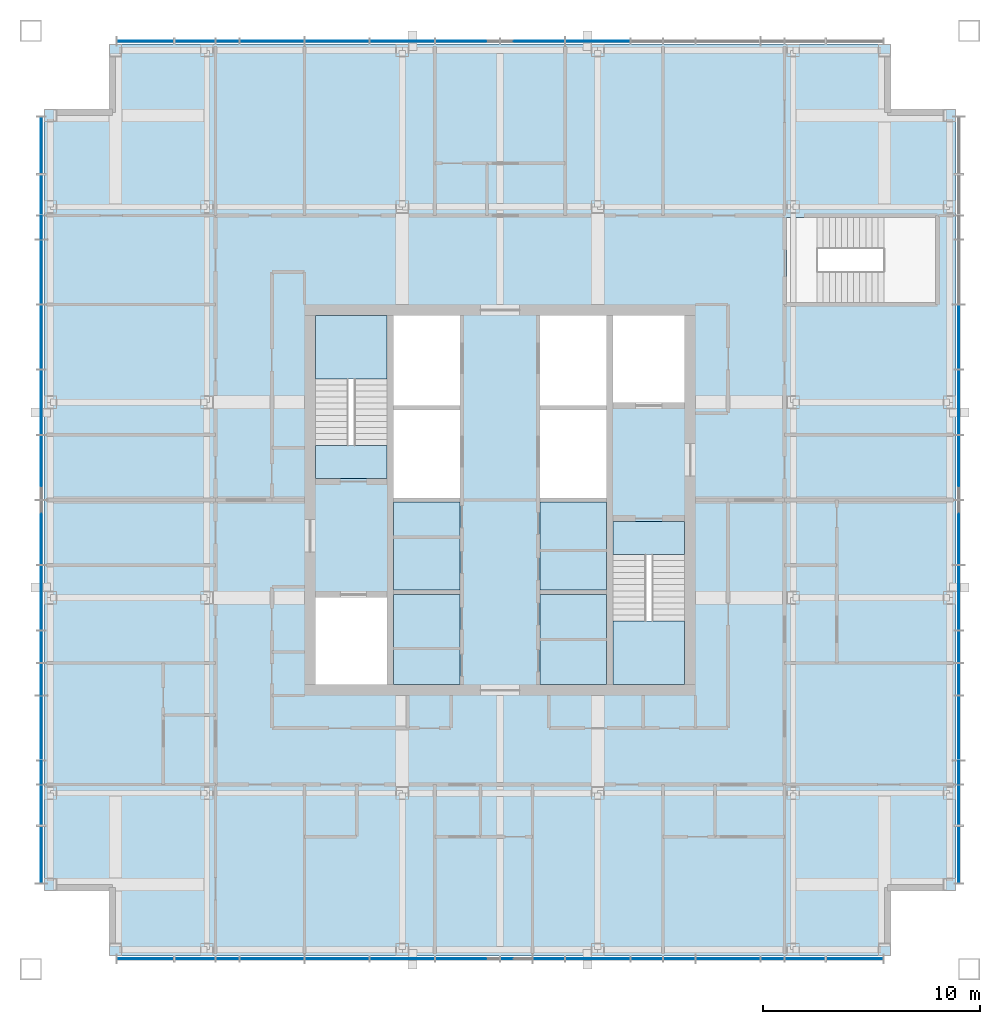
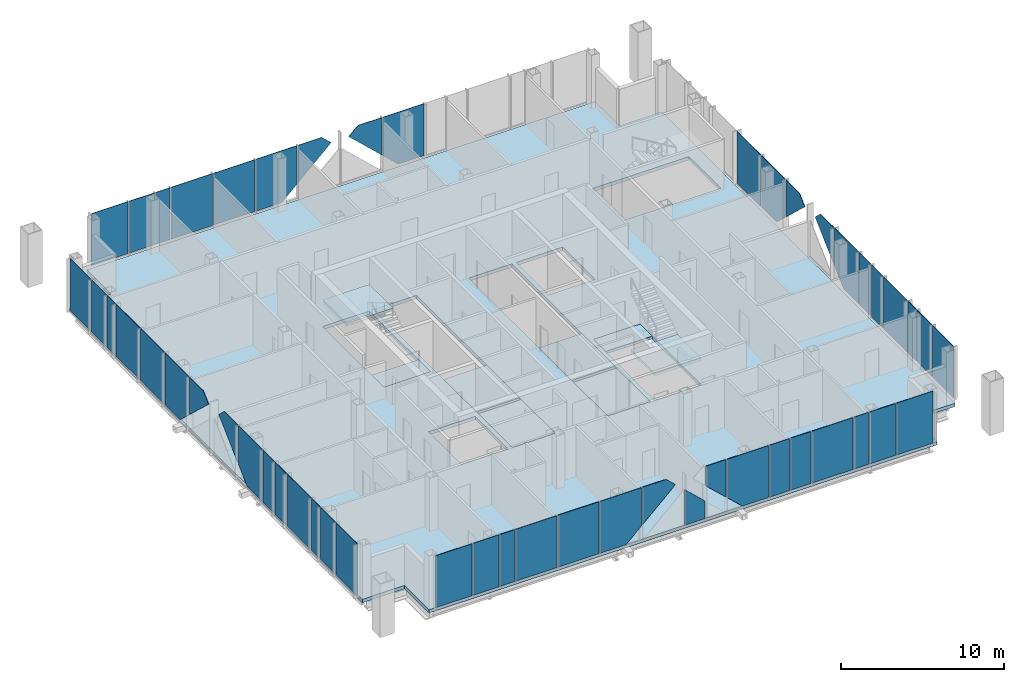
# One storey, part 6 of 12: 51 plates, 9 slabs, 6 elements without a shape of their own.
"""IFC4 building model written with IfcOpenShell, lengths in metres."""

from ifc_helpers import new_model, si_unit, direction, frame, origin, origin_2d, place, context, subcontext, project, spatial, polyline, rectangle, outline, extrude, material, layer, layer_set, type_object, element, aggregate, save


model = new_model("IFC4")

# Units and contexts
model_context = context("Model", 3, precision=1e-05, world=origin(), true_north=direction((0.0, 1.0)))
body_context = subcontext(model_context, "Body", "Model", "MODEL_VIEW")
ifc_project = project(units=[si_unit("LENGTHUNIT", "METRE"), si_unit("AREAUNIT", "SQUARE_METRE"), si_unit("VOLUMEUNIT", "CUBIC_METRE"), si_unit("PLANEANGLEUNIT", "RADIAN"), si_unit("MASSUNIT", "GRAM", prefix="KILO")], contexts=[model_context])

# Site, building, storey
site_placement = place(None, origin())
site = spatial("IfcSite", under=ifc_project, at=site_placement, CompositionType="ELEMENT")
building_placement = place(site_placement, origin())
building = spatial("IfcBuilding", under=site, at=building_placement, Name="Malebo Sky Hospital", CompositionType="ELEMENT")
storey_placement = place(building_placement, frame((0.0, 0.0, 266.0)))
storey = spatial("IfcBuildingStorey", under=building, at=storey_placement, Name="L64", CompositionType="ELEMENT", Elevation=266.0)

# Slabs
ifc_material_1 = material(Name="Concrete C40/50", Category="concrete")
ifc_layer_1 = layer(ifc_material_1, 0.25)
ifc_layer_set_1 = layer_set([ifc_layer_1], Name="COMPOSITE FLOOR SLAB 250")
slab_type_1 = type_object("IfcSlabType", Name="COMPOSITE FLOOR SLAB 250", PredefinedType="FLOOR", material=ifc_layer_set_1)
slab_1_placement = place(storey_placement, frame((0.0, 0.0, -0.25)))
element("IfcSlab", 1, at=slab_1_placement, inside=storey, type_object=slab_type_1, Name="Floor slab L64", PredefinedType="FLOOR", context=body_context, shape_type="SweptSolid", body=[
    extrude(outline(polyline([(42.0, 83.0), (42.0, 80.0), (39.0, 80.0), (39.0, 44.0), (42.0, 44.0), (42.0, 41.0), (78.0, 41.0), (78.0, 44.0), (81.0, 44.0), (81.0, 80.0), (78.0, 80.0), (78.0, 83.0), (42.0, 83.0)]), holes=[polyline([(55.10009765625, 70.5), (58.14990234375, 70.5), (58.14990234375, 53.5), (55.10009765625, 53.5), (55.10009765625, 70.5)]), polyline([(64.89990234375, 70.5), (64.89990234375, 53.5), (61.85009765625, 53.5), (61.85009765625, 70.5), (64.89990234375, 70.5)]), polyline([(54.800048828125, 63.0), (51.5, 63.0), (51.5, 70.5), (54.800048828125, 70.5), (54.800048828125, 63.0)]), polyline([(51.5, 53.5), (51.5, 57.5), (54.800048828125, 57.5), (54.800048828125, 53.5), (51.5, 53.5)]), polyline([(65.199951171875, 61.0), (68.5, 61.0), (68.5, 53.5), (65.199951171875, 53.5), (65.199951171875, 61.0)]), polyline([(68.5, 70.5), (68.5, 66.5), (65.199951171875, 66.5), (65.199951171875, 70.5), (68.5, 70.5)]), polyline([(80.050048828125, 71.10009765625), (73.199951171875, 71.10009765625), (73.199951171875, 75.0), (80.050048828125, 75.0), (80.050048828125, 71.10009765625)])]), origin(), (0.0, 0.0, 1.0), 0.25),
])
ifc_layer_2 = layer(ifc_material_1, 0.25)
ifc_layer_set_2 = layer_set([ifc_layer_2], Name="SHAFT INFILL SLAB 250")
slab_type_2 = type_object("IfcSlabType", Name="SHAFT INFILL SLAB 250", PredefinedType="FLOOR", material=ifc_layer_set_2)
slab_2_placement = place(storey_placement, frame((0.0, 0.0, -0.25)))
element("IfcSlab", 2, at=slab_2_placement, inside=storey, type_object=slab_type_2, Name="Shaft infill slab W1 L64", PredefinedType="FLOOR", context=body_context, shape_type="SweptSolid", body=[
    extrude(outline(polyline([(55.10009765625, 53.5), (58.14990234375, 53.5), (58.14990234375, 57.64990234375), (55.10009765625, 57.64990234375), (55.10009765625, 53.5)])), origin(), (0.0, 0.0, 1.0), 0.25),
])
slab_3_placement = place(storey_placement, frame((0.0, 0.0, -0.25)))
element("IfcSlab", 3, at=slab_3_placement, inside=storey, type_object=slab_type_2, Name="Shaft infill slab W2 L64", PredefinedType="FLOOR", context=body_context, shape_type="SweptSolid", body=[
    extrude(outline(polyline([(55.10009765625, 57.85009765625), (58.14990234375, 57.85009765625), (58.14990234375, 61.89990234375), (55.10009765625, 61.89990234375), (55.10009765625, 57.85009765625)])), origin(), (0.0, 0.0, 1.0), 0.25),
])
slab_4_placement = place(storey_placement, frame((0.0, 0.0, -0.25)))
element("IfcSlab", 4, at=slab_4_placement, inside=storey, type_object=slab_type_2, Name="Shaft infill slab E1 L64", PredefinedType="FLOOR", context=body_context, shape_type="SweptSolid", body=[
    extrude(outline(polyline([(61.85009765625, 53.5), (64.89990234375, 53.5), (64.89990234375, 57.64990234375), (61.85009765625, 57.64990234375), (61.85009765625, 53.5)])), origin(), (0.0, 0.0, 1.0), 0.25),
])
slab_5_placement = place(storey_placement, frame((0.0, 0.0, -0.25)))
element("IfcSlab", 5, at=slab_5_placement, inside=storey, type_object=slab_type_2, Name="Shaft infill slab E2 L64", PredefinedType="FLOOR", context=body_context, shape_type="SweptSolid", body=[
    extrude(outline(polyline([(61.85009765625, 57.85009765625), (64.89990234375, 57.85009765625), (64.89990234375, 61.89990234375), (61.85009765625, 61.89990234375), (61.85009765625, 57.85009765625)])), origin(), (0.0, 0.0, 1.0), 0.25),
])

# Stair, slabs
stair_type = type_object("IfcStairType", Name="HALF-TURN STAIR 1500 R167", PredefinedType="HALF_TURN_STAIR", material=ifc_material_1)
stair_1_placement = place(storey_placement, origin())
stair_1 = element("IfcStair", 6, at=stair_1_placement, inside=storey, type_object=stair_type, Name="Stair S1 L64 type ST1", PredefinedType="HALF_TURN_STAIR")
ifc_layer_3 = layer(ifc_material_1, 0.199951171875)
ifc_layer_set_3 = layer_set([ifc_layer_3], Name="STAIR LANDING 200")
slab_type_3 = type_object("IfcSlabType", Name="STAIR LANDING 200", PredefinedType="LANDING", material=ifc_layer_set_3)
slab_6_placement = place(storey_placement, frame((0.0, 0.0, -0.199951171875)))
slab_6 = element("IfcSlab", 7, at=slab_6_placement, type_object=slab_type_3, Name="S1 landing 1", PredefinedType="LANDING", context=body_context, shape_type="SweptSolid", body=[
    extrude(outline(polyline([(51.5, 63.0), (54.800048828125, 63.0), (54.800048828125, 64.5), (51.5, 64.5), (51.5, 63.0)])), origin(), (0.0, 0.0, 1.0), 0.199951171875),
])
slab_7_placement = place(storey_placement, frame((0.0, 0.0, 1.800048828125)))
slab_7 = element("IfcSlab", 8, at=slab_7_placement, type_object=slab_type_3, Name="S1 landing 2", PredefinedType="LANDING", context=body_context, shape_type="SweptSolid", body=[
    extrude(outline(polyline([(51.5, 67.580078125), (54.800048828125, 67.580078125), (54.800048828125, 70.5), (51.5, 70.5), (51.5, 67.580078125)])), origin(), (0.0, 0.0, 1.0), 0.199951171875),
])
aggregate(stair_1, [slab_6, slab_7])

stair_2_placement = place(storey_placement, origin())
stair_2 = element("IfcStair", 9, at=stair_2_placement, inside=storey, type_object=stair_type, Name="Stair S2 L64 type ST1", PredefinedType="HALF_TURN_STAIR")
slab_8_placement = place(storey_placement, frame((0.0, 0.0, -0.199951171875)))
slab_8 = element("IfcSlab", 10, at=slab_8_placement, type_object=slab_type_3, Name="S2 landing 1", PredefinedType="LANDING", context=body_context, shape_type="SweptSolid", body=[
    extrude(outline(polyline([(65.199951171875, 59.5), (68.5, 59.5), (68.5, 61.0), (65.199951171875, 61.0), (65.199951171875, 59.5)])), origin(), (0.0, 0.0, 1.0), 0.199951171875),
])
slab_9_placement = place(storey_placement, frame((0.0, 0.0, 1.800048828125)))
slab_9 = element("IfcSlab", 11, at=slab_9_placement, type_object=slab_type_3, Name="S2 landing 2", PredefinedType="LANDING", context=body_context, shape_type="SweptSolid", body=[
    extrude(outline(polyline([(65.199951171875, 53.5), (68.5, 53.5), (68.5, 56.419921875), (65.199951171875, 56.419921875), (65.199951171875, 53.5)])), origin(), (0.0, 0.0, 1.0), 0.199951171875),
])
aggregate(stair_2, [slab_8, slab_9])

# Curtain wall, plates
ifc_material_2 = material(Name="Anodised aluminium, natural silver", Category="aluminium")
ifc_layer_4 = layer(ifc_material_2, 0.25)
ifc_layer_set_4 = layer_set([ifc_layer_4], Name="WARD CURTAIN WALL NORTH AND SOUTH")
curtain_wall_type_1 = type_object("IfcCurtainWallType", Name="WARD CURTAIN WALL NORTH AND SOUTH", PredefinedType="NOTDEFINED", material=ifc_layer_set_4)
curtain_wall_1_placement = place(storey_placement, origin())
curtain_wall_1 = element("IfcCurtainWall", 12, at=curtain_wall_1_placement, inside=storey, type_object=curtain_wall_type_1, Name="NS curtain wall N", PredefinedType="NOTDEFINED")
ifc_material_3 = material(Name="Clear low-iron double glazing", Category="glass")
ifc_layer_5 = layer(ifc_material_3, 0.031982421875)
ifc_layer_set_5 = layer_set([ifc_layer_5], Name="VISION PANEL CLEAR 32")
plate_type = type_object("IfcPlateType", Name="VISION PANEL CLEAR 32", PredefinedType="CURTAIN_PANEL", material=ifc_layer_set_5)
plate_1_placement = place(storey_placement, frame((43.668701171875, 83.125, 0.10009765625), z_axis=(0.0, 0.0, 1.0), x_axis=(1.0, 0.0, 0.0)))
plate_1 = element("IfcPlate", 13, at=plate_1_placement, type_object=plate_type, Name="Panel 1", PredefinedType="CURTAIN_PANEL", context=body_context, shape_type="SweptSolid", body=[
    extrude(rectangle(XDim=2.58740234375, YDim=0.031982421875, at=origin_2d()), origin(), (0.0, 0.0, 1.0), 3.889892578125),
])
plate_2_placement = place(storey_placement, frame((45.949951171875, 83.125, 0.10009765625), z_axis=(0.0, 0.0, 1.0), x_axis=(1.0, 0.0, 0.0)))
plate_2 = element("IfcPlate", 14, at=plate_2_placement, type_object=plate_type, Name="Panel 2", PredefinedType="CURTAIN_PANEL", context=body_context, shape_type="SweptSolid", body=[
    extrude(rectangle(XDim=1.824951171875, YDim=0.031982421875, at=origin_2d()), origin(), (0.0, 0.0, 1.0), 3.889892578125),
])
plate_3_placement = place(storey_placement, frame((47.449951171875, 83.125, 0.10009765625), z_axis=(0.0, 0.0, 1.0), x_axis=(1.0, 0.0, 0.0)))
plate_3 = element("IfcPlate", 15, at=plate_3_placement, type_object=plate_type, Name="Panel 3", PredefinedType="CURTAIN_PANEL", context=body_context, shape_type="SweptSolid", body=[
    extrude(rectangle(XDim=1.02490234375, YDim=0.031982421875, at=origin_2d()), origin(), (0.0, 0.0, 1.0), 3.889892578125),
])
plate_4_placement = place(storey_placement, frame((49.5, 83.125, 0.10009765625), z_axis=(0.0, 0.0, 1.0), x_axis=(1.0, 0.0, 0.0)))
plate_4 = element("IfcPlate", 16, at=plate_4_placement, type_object=plate_type, Name="Panel 4", PredefinedType="CURTAIN_PANEL", context=body_context, shape_type="SweptSolid", body=[
    extrude(rectangle(XDim=2.925048828125, YDim=0.031982421875, at=origin_2d()), origin(), (0.0, 0.0, 1.0), 3.889892578125),
])
plate_5_placement = place(storey_placement, frame((52.5, 83.125, 0.10009765625), z_axis=(0.0, 0.0, 1.0), x_axis=(1.0, 0.0, 0.0)))
plate_5 = element("IfcPlate", 17, at=plate_5_placement, type_object=plate_type, Name="Panel 5", PredefinedType="CURTAIN_PANEL", context=body_context, shape_type="SweptSolid", body=[
    extrude(rectangle(XDim=2.925048828125, YDim=0.031982421875, at=origin_2d()), origin(), (0.0, 0.0, 1.0), 3.889892578125),
])
plate_6_placement = place(storey_placement, frame((55.5, 83.125, 0.10009765625), z_axis=(0.0, 0.0, 1.0), x_axis=(1.0, 0.0, 0.0)))
plate_6 = element("IfcPlate", 18, at=plate_6_placement, type_object=plate_type, Name="Panel 6", PredefinedType="CURTAIN_PANEL", context=body_context, shape_type="SweptSolid", body=[
    extrude(outline(polyline([(-1.46240234375, 0.0), (0.3798828125, 0.0), (1.46240234375, 1.013916015625), (1.46240234375, 3.889892578125), (-1.46240234375, 3.889892578125), (-1.46240234375, 0.0)])), frame((0.0, 0.01611328125, 0.0), z_axis=(0.0, -1.0, 0.0), x_axis=(1.0, 0.0, 0.0)), (0.0, 0.0, 1.0), 0.031982421875),
])
plate_7_placement = place(storey_placement, frame((58.20751953125, 83.125, 1.18408203125), z_axis=(0.0, 0.0, 1.0), x_axis=(1.0, 0.0, 0.0)))
plate_7 = element("IfcPlate", 19, at=plate_7_placement, type_object=plate_type, Name="Panel 7", PredefinedType="CURTAIN_PANEL", context=body_context, shape_type="SweptSolid", body=[
    extrude(outline(polyline([(-1.169921875, 0.0), (1.169921875, 2.19091796875), (0.51318359375, 2.805908203125), (-1.169921875, 2.805908203125), (-1.169921875, 0.0)])), frame((0.0, 0.01611328125, 0.0), z_axis=(0.0, -1.0, 0.0), x_axis=(1.0, 0.0, 0.0)), (0.0, 0.0, 1.0), 0.031982421875),
])
plate_8_placement = place(storey_placement, frame((61.79248046875, 83.125, 1.18408203125), z_axis=(0.0, 0.0, 1.0), x_axis=(1.0, 0.0, 0.0)))
plate_8 = element("IfcPlate", 20, at=plate_8_placement, type_object=plate_type, Name="Panel 8", PredefinedType="CURTAIN_PANEL", context=body_context, shape_type="SweptSolid", body=[
    extrude(outline(polyline([(1.169921875, 0.0), (1.169921875, 2.805908203125), (-0.51318359375, 2.805908203125), (-1.169921875, 2.19091796875), (1.169921875, 0.0)])), frame((0.0, 0.01611328125, 0.0), z_axis=(0.0, -1.0, 0.0), x_axis=(1.0, 0.0, 0.0)), (0.0, 0.0, 1.0), 0.031982421875),
])
plate_9_placement = place(storey_placement, frame((64.5, 83.125, 0.10009765625), z_axis=(0.0, 0.0, 1.0), x_axis=(1.0, 0.0, 0.0)))
plate_9 = element("IfcPlate", 21, at=plate_9_placement, type_object=plate_type, Name="Panel 9", PredefinedType="CURTAIN_PANEL", context=body_context, shape_type="SweptSolid", body=[
    extrude(outline(polyline([(-0.3798828125, 0.0), (1.46240234375, 0.0), (1.46240234375, 3.889892578125), (-1.46240234375, 3.889892578125), (-1.46240234375, 1.013916015625), (-0.3798828125, 0.0)])), frame((0.0, 0.01611328125, 0.0), z_axis=(0.0, -1.0, 0.0), x_axis=(1.0, 0.0, 0.0)), (0.0, 0.0, 1.0), 0.031982421875),
])
aggregate(curtain_wall_1, [plate_1, plate_2, plate_3, plate_4, plate_5, plate_6, plate_7, plate_8, plate_9])

ifc_layer_6 = layer(ifc_material_2, 0.25)
ifc_layer_set_6 = layer_set([ifc_layer_6], Name="WARD CURTAIN WALL EAST AND WEST")
curtain_wall_type_2 = type_object("IfcCurtainWallType", Name="WARD CURTAIN WALL EAST AND WEST", PredefinedType="NOTDEFINED", material=ifc_layer_set_6)
curtain_wall_2_placement = place(storey_placement, origin())
curtain_wall_2 = element("IfcCurtainWall", 22, at=curtain_wall_2_placement, inside=storey, type_object=curtain_wall_type_2, Name="EW curtain wall W", PredefinedType="NOTDEFINED")
plate_10_placement = place(storey_placement, frame((38.875, 45.668701171875, 0.10009765625), z_axis=(0.0, 0.0, 1.0), x_axis=(0.0, 1.0, 0.0)))
plate_10 = element("IfcPlate", 23, at=plate_10_placement, type_object=plate_type, Name="Panel 1", PredefinedType="CURTAIN_PANEL", context=body_context, shape_type="SweptSolid", body=[
    extrude(rectangle(XDim=2.58740234375, YDim=0.031982421875, at=origin_2d()), origin(), (0.0, 0.0, 1.0), 3.889892578125),
])
plate_11_placement = place(storey_placement, frame((38.875, 47.949951171875, 0.10009765625), z_axis=(0.0, 0.0, 1.0), x_axis=(0.0, 1.0, 0.0)))
plate_11 = element("IfcPlate", 24, at=plate_11_placement, type_object=plate_type, Name="Panel 2", PredefinedType="CURTAIN_PANEL", context=body_context, shape_type="SweptSolid", body=[
    extrude(rectangle(XDim=1.824951171875, YDim=0.031982421875, at=origin_2d()), origin(), (0.0, 0.0, 1.0), 3.889892578125),
])
plate_12_placement = place(storey_placement, frame((38.875, 49.449951171875, 0.10009765625), z_axis=(0.0, 0.0, 1.0), x_axis=(0.0, 1.0, 0.0)))
plate_12 = element("IfcPlate", 25, at=plate_12_placement, type_object=plate_type, Name="Panel 3", PredefinedType="CURTAIN_PANEL", context=body_context, shape_type="SweptSolid", body=[
    extrude(rectangle(XDim=1.02490234375, YDim=0.031982421875, at=origin_2d()), origin(), (0.0, 0.0, 1.0), 3.889892578125),
])
plate_13_placement = place(storey_placement, frame((38.875, 51.5, 0.10009765625), z_axis=(0.0, 0.0, 1.0), x_axis=(0.0, 1.0, 0.0)))
plate_13 = element("IfcPlate", 26, at=plate_13_placement, type_object=plate_type, Name="Panel 4", PredefinedType="CURTAIN_PANEL", context=body_context, shape_type="SweptSolid", body=[
    extrude(rectangle(XDim=2.925048828125, YDim=0.031982421875, at=origin_2d()), origin(), (0.0, 0.0, 1.0), 3.889892578125),
])
plate_14_placement = place(storey_placement, frame((38.875, 53.75, 0.10009765625), z_axis=(0.0, 0.0, 1.0), x_axis=(0.0, 1.0, 0.0)))
plate_14 = element("IfcPlate", 27, at=plate_14_placement, type_object=plate_type, Name="Panel 5", PredefinedType="CURTAIN_PANEL", context=body_context, shape_type="SweptSolid", body=[
    extrude(rectangle(XDim=1.425048828125, YDim=0.031982421875, at=origin_2d()), origin(), (0.0, 0.0, 1.0), 3.889892578125),
])
plate_15_placement = place(storey_placement, frame((38.875, 55.25, 0.10009765625), z_axis=(0.0, 0.0, 1.0), x_axis=(0.0, 1.0, 0.0)))
plate_15 = element("IfcPlate", 28, at=plate_15_placement, type_object=plate_type, Name="Panel 6", PredefinedType="CURTAIN_PANEL", context=body_context, shape_type="SweptSolid", body=[
    extrude(rectangle(XDim=1.425048828125, YDim=0.031982421875, at=origin_2d()), origin(), (0.0, 0.0, 1.0), 3.889892578125),
])
plate_16_placement = place(storey_placement, frame((38.875, 57.5, 0.10009765625), z_axis=(0.0, 0.0, 1.0), x_axis=(0.0, 1.0, 0.0)))
plate_16 = element("IfcPlate", 29, at=plate_16_placement, type_object=plate_type, Name="Panel 7", PredefinedType="CURTAIN_PANEL", context=body_context, shape_type="SweptSolid", body=[
    extrude(outline(polyline([(-1.46240234375, 0.0), (0.3798828125, 0.0), (1.46240234375, 1.013916015625), (1.46240234375, 3.889892578125), (-1.46240234375, 3.889892578125), (-1.46240234375, 0.0)])), frame((0.0, 0.01611328125, 0.0), z_axis=(0.0, -1.0, 0.0), x_axis=(1.0, 0.0, 0.0)), (0.0, 0.0, 1.0), 0.031982421875),
])
plate_17_placement = place(storey_placement, frame((38.875, 60.20751953125, 1.18408203125), z_axis=(0.0, 0.0, 1.0), x_axis=(0.0, 1.0, 0.0)))
plate_17 = element("IfcPlate", 30, at=plate_17_placement, type_object=plate_type, Name="Panel 8", PredefinedType="CURTAIN_PANEL", context=body_context, shape_type="SweptSolid", body=[
    extrude(outline(polyline([(-1.169921875, 0.0), (1.169921875, 2.19091796875), (0.51318359375, 2.805908203125), (-1.169921875, 2.805908203125), (-1.169921875, 0.0)])), frame((0.0, 0.01611328125, 0.0), z_axis=(0.0, -1.0, 0.0), x_axis=(1.0, 0.0, 0.0)), (0.0, 0.0, 1.0), 0.031982421875),
])
plate_18_placement = place(storey_placement, frame((38.875, 63.79248046875, 1.18408203125), z_axis=(0.0, 0.0, 1.0), x_axis=(0.0, 1.0, 0.0)))
plate_18 = element("IfcPlate", 31, at=plate_18_placement, type_object=plate_type, Name="Panel 9", PredefinedType="CURTAIN_PANEL", context=body_context, shape_type="SweptSolid", body=[
    extrude(outline(polyline([(1.169921875, 0.0), (1.169921875, 2.805908203125), (-0.51318359375, 2.805908203125), (-1.169921875, 2.19091796875), (1.169921875, 0.0)])), frame((0.0, 0.01611328125, 0.0), z_axis=(0.0, -1.0, 0.0), x_axis=(1.0, 0.0, 0.0)), (0.0, 0.0, 1.0), 0.031982421875),
])
plate_19_placement = place(storey_placement, frame((38.875, 66.5, 0.10009765625), z_axis=(0.0, 0.0, 1.0), x_axis=(0.0, 1.0, 0.0)))
plate_19 = element("IfcPlate", 32, at=plate_19_placement, type_object=plate_type, Name="Panel 10", PredefinedType="CURTAIN_PANEL", context=body_context, shape_type="SweptSolid", body=[
    extrude(outline(polyline([(-0.3798828125, 0.0), (1.46240234375, 0.0), (1.46240234375, 3.889892578125), (-1.46240234375, 3.889892578125), (-1.46240234375, 1.013916015625), (-0.3798828125, 0.0)])), frame((0.0, 0.01611328125, 0.0), z_axis=(0.0, -1.0, 0.0), x_axis=(1.0, 0.0, 0.0)), (0.0, 0.0, 1.0), 0.031982421875),
])
plate_20_placement = place(storey_placement, frame((38.875, 69.5, 0.10009765625), z_axis=(0.0, 0.0, 1.0), x_axis=(0.0, 1.0, 0.0)))
plate_20 = element("IfcPlate", 33, at=plate_20_placement, type_object=plate_type, Name="Panel 11", PredefinedType="CURTAIN_PANEL", context=body_context, shape_type="SweptSolid", body=[
    extrude(rectangle(XDim=2.925048828125, YDim=0.031982421875, at=origin_2d()), origin(), (0.0, 0.0, 1.0), 3.889892578125),
])
plate_21_placement = place(storey_placement, frame((38.875, 72.5, 0.10009765625), z_axis=(0.0, 0.0, 1.0), x_axis=(0.0, 1.0, 0.0)))
plate_21 = element("IfcPlate", 34, at=plate_21_placement, type_object=plate_type, Name="Panel 12", PredefinedType="CURTAIN_PANEL", context=body_context, shape_type="SweptSolid", body=[
    extrude(rectangle(XDim=2.925048828125, YDim=0.031982421875, at=origin_2d()), origin(), (0.0, 0.0, 1.0), 3.889892578125),
])
plate_22_placement = place(storey_placement, frame((38.875, 74.550048828125, 0.10009765625), z_axis=(0.0, 0.0, 1.0), x_axis=(0.0, 1.0, 0.0)))
plate_22 = element("IfcPlate", 35, at=plate_22_placement, type_object=plate_type, Name="Panel 13", PredefinedType="CURTAIN_PANEL", context=body_context, shape_type="SweptSolid", body=[
    extrude(rectangle(XDim=1.02490234375, YDim=0.031982421875, at=origin_2d()), origin(), (0.0, 0.0, 1.0), 3.889892578125),
])
plate_23_placement = place(storey_placement, frame((38.875, 76.050048828125, 0.10009765625), z_axis=(0.0, 0.0, 1.0), x_axis=(0.0, 1.0, 0.0)))
plate_23 = element("IfcPlate", 36, at=plate_23_placement, type_object=plate_type, Name="Panel 14", PredefinedType="CURTAIN_PANEL", context=body_context, shape_type="SweptSolid", body=[
    extrude(rectangle(XDim=1.824951171875, YDim=0.031982421875, at=origin_2d()), origin(), (0.0, 0.0, 1.0), 3.889892578125),
])
plate_24_placement = place(storey_placement, frame((38.875, 78.331298828125, 0.10009765625), z_axis=(0.0, 0.0, 1.0), x_axis=(0.0, 1.0, 0.0)))
plate_24 = element("IfcPlate", 37, at=plate_24_placement, type_object=plate_type, Name="Panel 15", PredefinedType="CURTAIN_PANEL", context=body_context, shape_type="SweptSolid", body=[
    extrude(rectangle(XDim=2.58740234375, YDim=0.031982421875, at=origin_2d()), origin(), (0.0, 0.0, 1.0), 3.889892578125),
])
aggregate(curtain_wall_2, [plate_10, plate_11, plate_12, plate_13, plate_14, plate_15, plate_16, plate_17, plate_18, plate_19, plate_20, plate_21, plate_22, plate_23, plate_24])

curtain_wall_3_placement = place(storey_placement, origin())
curtain_wall_3 = element("IfcCurtainWall", 38, at=curtain_wall_3_placement, inside=storey, type_object=curtain_wall_type_1, Name="NS curtain wall S", PredefinedType="NOTDEFINED")
plate_25_placement = place(storey_placement, frame((76.331298828125, 40.875, 0.10009765625), z_axis=(0.0, 0.0, 1.0), x_axis=(-1.0, 0.0, 0.0)))
plate_25 = element("IfcPlate", 39, at=plate_25_placement, type_object=plate_type, Name="Panel 1", PredefinedType="CURTAIN_PANEL", context=body_context, shape_type="SweptSolid", body=[
    extrude(rectangle(XDim=2.58740234375, YDim=0.031982421875, at=origin_2d()), origin(), (0.0, 0.0, 1.0), 3.889892578125),
])
plate_26_placement = place(storey_placement, frame((74.050048828125, 40.875, 0.10009765625), z_axis=(0.0, 0.0, 1.0), x_axis=(-1.0, 0.0, 0.0)))
plate_26 = element("IfcPlate", 40, at=plate_26_placement, type_object=plate_type, Name="Panel 2", PredefinedType="CURTAIN_PANEL", context=body_context, shape_type="SweptSolid", body=[
    extrude(rectangle(XDim=1.824951171875, YDim=0.031982421875, at=origin_2d()), origin(), (0.0, 0.0, 1.0), 3.889892578125),
])
plate_27_placement = place(storey_placement, frame((72.550048828125, 40.875, 0.10009765625), z_axis=(0.0, 0.0, 1.0), x_axis=(-1.0, 0.0, 0.0)))
plate_27 = element("IfcPlate", 41, at=plate_27_placement, type_object=plate_type, Name="Panel 3", PredefinedType="CURTAIN_PANEL", context=body_context, shape_type="SweptSolid", body=[
    extrude(rectangle(XDim=1.02490234375, YDim=0.031982421875, at=origin_2d()), origin(), (0.0, 0.0, 1.0), 3.889892578125),
])
plate_28_placement = place(storey_placement, frame((70.5, 40.875, 0.10009765625), z_axis=(0.0, 0.0, 1.0), x_axis=(-1.0, 0.0, 0.0)))
plate_28 = element("IfcPlate", 42, at=plate_28_placement, type_object=plate_type, Name="Panel 4", PredefinedType="CURTAIN_PANEL", context=body_context, shape_type="SweptSolid", body=[
    extrude(rectangle(XDim=2.925048828125, YDim=0.031982421875, at=origin_2d()), origin(), (0.0, 0.0, 1.0), 3.889892578125),
])
plate_29_placement = place(storey_placement, frame((68.25, 40.875, 0.10009765625), z_axis=(0.0, 0.0, 1.0), x_axis=(-1.0, 0.0, 0.0)))
plate_29 = element("IfcPlate", 43, at=plate_29_placement, type_object=plate_type, Name="Panel 5", PredefinedType="CURTAIN_PANEL", context=body_context, shape_type="SweptSolid", body=[
    extrude(rectangle(XDim=1.425048828125, YDim=0.031982421875, at=origin_2d()), origin(), (0.0, 0.0, 1.0), 3.889892578125),
])
plate_30_placement = place(storey_placement, frame((66.75, 40.875, 0.10009765625), z_axis=(0.0, 0.0, 1.0), x_axis=(-1.0, 0.0, 0.0)))
plate_30 = element("IfcPlate", 44, at=plate_30_placement, type_object=plate_type, Name="Panel 6", PredefinedType="CURTAIN_PANEL", context=body_context, shape_type="SweptSolid", body=[
    extrude(rectangle(XDim=1.425048828125, YDim=0.031982421875, at=origin_2d()), origin(), (0.0, 0.0, 1.0), 3.889892578125),
])
plate_31_placement = place(storey_placement, frame((64.5, 40.875, 0.10009765625), z_axis=(0.0, 0.0, 1.0), x_axis=(-1.0, 0.0, 0.0)))
plate_31 = element("IfcPlate", 45, at=plate_31_placement, type_object=plate_type, Name="Panel 7", PredefinedType="CURTAIN_PANEL", context=body_context, shape_type="SweptSolid", body=[
    extrude(outline(polyline([(-1.46240234375, 0.0), (0.3798828125, 0.0), (1.46240234375, 1.013916015625), (1.46240234375, 3.889892578125), (-1.46240234375, 3.889892578125), (-1.46240234375, 0.0)])), frame((0.0, 0.01611328125, 0.0), z_axis=(0.0, -1.0, 0.0), x_axis=(1.0, 0.0, 0.0)), (0.0, 0.0, 1.0), 0.031982421875),
])
plate_32_placement = place(storey_placement, frame((62.25, 40.875, 1.18408203125), z_axis=(0.0, 0.0, 1.0), x_axis=(-1.0, 0.0, 0.0)))
plate_32 = element("IfcPlate", 46, at=plate_32_placement, type_object=plate_type, Name="Panel 8", PredefinedType="CURTAIN_PANEL", context=body_context, shape_type="SweptSolid", body=[
    extrude(outline(polyline([(-0.71240234375, 0.0), (0.71240234375, 1.334228515625), (0.71240234375, 2.805908203125), (-0.71240234375, 2.805908203125), (-0.71240234375, 0.0)])), frame((0.0, 0.01611328125, 0.0), z_axis=(0.0, -1.0, 0.0), x_axis=(1.0, 0.0, 0.0)), (0.0, 0.0, 1.0), 0.031982421875),
])
plate_33_placement = place(storey_placement, frame((60.75, 40.875, 0.10009765625), z_axis=(0.0, 0.0, 1.0), x_axis=(-1.0, 0.0, 0.0)))
plate_33 = element("IfcPlate", 47, at=plate_33_placement, type_object=plate_type, Name="Panel 9", PredefinedType="CURTAIN_PANEL", context=body_context, shape_type="SweptSolid", body=[
    extrude(outline(polyline([(-0.71240234375, 0.0), (0.71240234375, 0.0), (0.71240234375, 2.656982421875), (-0.71240234375, 1.32275390625), (-0.71240234375, 0.0)])), frame((0.0, 0.01611328125, 0.0), z_axis=(0.0, -1.0, 0.0), x_axis=(1.0, 0.0, 0.0)), (0.0, 0.0, 1.0), 0.031982421875),
])
plate_34_placement = place(storey_placement, frame((58.20751953125, 40.875, 1.18408203125), z_axis=(0.0, 0.0, 1.0), x_axis=(-1.0, 0.0, 0.0)))
plate_34 = element("IfcPlate", 48, at=plate_34_placement, type_object=plate_type, Name="Panel 10", PredefinedType="CURTAIN_PANEL", context=body_context, shape_type="SweptSolid", body=[
    extrude(outline(polyline([(1.169921875, 0.0), (1.169921875, 2.805908203125), (-0.51318359375, 2.805908203125), (-1.169921875, 2.19091796875), (1.169921875, 0.0)])), frame((0.0, 0.01611328125, 0.0), z_axis=(0.0, -1.0, 0.0), x_axis=(1.0, 0.0, 0.0)), (0.0, 0.0, 1.0), 0.031982421875),
])
plate_35_placement = place(storey_placement, frame((55.5, 40.875, 0.10009765625), z_axis=(0.0, 0.0, 1.0), x_axis=(-1.0, 0.0, 0.0)))
plate_35 = element("IfcPlate", 49, at=plate_35_placement, type_object=plate_type, Name="Panel 11", PredefinedType="CURTAIN_PANEL", context=body_context, shape_type="SweptSolid", body=[
    extrude(outline(polyline([(-0.3798828125, 0.0), (1.46240234375, 0.0), (1.46240234375, 3.889892578125), (-1.46240234375, 3.889892578125), (-1.46240234375, 1.013916015625), (-0.3798828125, 0.0)])), frame((0.0, 0.01611328125, 0.0), z_axis=(0.0, -1.0, 0.0), x_axis=(1.0, 0.0, 0.0)), (0.0, 0.0, 1.0), 0.031982421875),
])
plate_36_placement = place(storey_placement, frame((52.5, 40.875, 0.10009765625), z_axis=(0.0, 0.0, 1.0), x_axis=(-1.0, 0.0, 0.0)))
plate_36 = element("IfcPlate", 50, at=plate_36_placement, type_object=plate_type, Name="Panel 12", PredefinedType="CURTAIN_PANEL", context=body_context, shape_type="SweptSolid", body=[
    extrude(rectangle(XDim=2.925048828125, YDim=0.031982421875, at=origin_2d()), origin(), (0.0, 0.0, 1.0), 3.889892578125),
])
plate_37_placement = place(storey_placement, frame((49.5, 40.875, 0.10009765625), z_axis=(0.0, 0.0, 1.0), x_axis=(-1.0, 0.0, 0.0)))
plate_37 = element("IfcPlate", 51, at=plate_37_placement, type_object=plate_type, Name="Panel 13", PredefinedType="CURTAIN_PANEL", context=body_context, shape_type="SweptSolid", body=[
    extrude(rectangle(XDim=2.925048828125, YDim=0.031982421875, at=origin_2d()), origin(), (0.0, 0.0, 1.0), 3.889892578125),
])
plate_38_placement = place(storey_placement, frame((47.449951171875, 40.875, 0.10009765625), z_axis=(0.0, 0.0, 1.0), x_axis=(-1.0, 0.0, 0.0)))
plate_38 = element("IfcPlate", 52, at=plate_38_placement, type_object=plate_type, Name="Panel 14", PredefinedType="CURTAIN_PANEL", context=body_context, shape_type="SweptSolid", body=[
    extrude(rectangle(XDim=1.02490234375, YDim=0.031982421875, at=origin_2d()), origin(), (0.0, 0.0, 1.0), 3.889892578125),
])
plate_39_placement = place(storey_placement, frame((45.949951171875, 40.875, 0.10009765625), z_axis=(0.0, 0.0, 1.0), x_axis=(-1.0, 0.0, 0.0)))
plate_39 = element("IfcPlate", 53, at=plate_39_placement, type_object=plate_type, Name="Panel 15", PredefinedType="CURTAIN_PANEL", context=body_context, shape_type="SweptSolid", body=[
    extrude(rectangle(XDim=1.824951171875, YDim=0.031982421875, at=origin_2d()), origin(), (0.0, 0.0, 1.0), 3.889892578125),
])
plate_40_placement = place(storey_placement, frame((43.668701171875, 40.875, 0.10009765625), z_axis=(0.0, 0.0, 1.0), x_axis=(-1.0, 0.0, 0.0)))
plate_40 = element("IfcPlate", 54, at=plate_40_placement, type_object=plate_type, Name="Panel 16", PredefinedType="CURTAIN_PANEL", context=body_context, shape_type="SweptSolid", body=[
    extrude(rectangle(XDim=2.58740234375, YDim=0.031982421875, at=origin_2d()), origin(), (0.0, 0.0, 1.0), 3.889892578125),
])
aggregate(curtain_wall_3, [plate_25, plate_26, plate_27, plate_28, plate_29, plate_30, plate_31, plate_32, plate_33, plate_34, plate_35, plate_36, plate_37, plate_38, plate_39, plate_40])

curtain_wall_4_placement = place(storey_placement, origin())
curtain_wall_4 = element("IfcCurtainWall", 55, at=curtain_wall_4_placement, inside=storey, type_object=curtain_wall_type_2, Name="EW curtain wall E", PredefinedType="NOTDEFINED")
plate_41_placement = place(storey_placement, frame((81.125, 69.5, 0.10009765625), z_axis=(0.0, 0.0, 1.0), x_axis=(0.0, -1.0, 0.0)))
plate_41 = element("IfcPlate", 56, at=plate_41_placement, type_object=plate_type, Name="Panel 5", PredefinedType="CURTAIN_PANEL", context=body_context, shape_type="SweptSolid", body=[
    extrude(rectangle(XDim=2.925048828125, YDim=0.031982421875, at=origin_2d()), origin(), (0.0, 0.0, 1.0), 3.889892578125),
])
plate_42_placement = place(storey_placement, frame((81.125, 66.5, 0.10009765625), z_axis=(0.0, 0.0, 1.0), x_axis=(0.0, -1.0, 0.0)))
plate_42 = element("IfcPlate", 57, at=plate_42_placement, type_object=plate_type, Name="Panel 6", PredefinedType="CURTAIN_PANEL", context=body_context, shape_type="SweptSolid", body=[
    extrude(outline(polyline([(-1.46240234375, 0.0), (0.3798828125, 0.0), (1.46240234375, 1.013916015625), (1.46240234375, 3.889892578125), (-1.46240234375, 3.889892578125), (-1.46240234375, 0.0)])), frame((0.0, 0.01611328125, 0.0), z_axis=(0.0, -1.0, 0.0), x_axis=(1.0, 0.0, 0.0)), (0.0, 0.0, 1.0), 0.031982421875),
])
plate_43_placement = place(storey_placement, frame((81.125, 63.79248046875, 1.18408203125), z_axis=(0.0, 0.0, 1.0), x_axis=(0.0, -1.0, 0.0)))
plate_43 = element("IfcPlate", 58, at=plate_43_placement, type_object=plate_type, Name="Panel 7", PredefinedType="CURTAIN_PANEL", context=body_context, shape_type="SweptSolid", body=[
    extrude(outline(polyline([(-1.169921875, 0.0), (1.169921875, 2.19091796875), (0.51318359375, 2.805908203125), (-1.169921875, 2.805908203125), (-1.169921875, 0.0)])), frame((0.0, 0.01611328125, 0.0), z_axis=(0.0, -1.0, 0.0), x_axis=(1.0, 0.0, 0.0)), (0.0, 0.0, 1.0), 0.031982421875),
])
plate_44_placement = place(storey_placement, frame((81.125, 60.20751953125, 1.18408203125), z_axis=(0.0, 0.0, 1.0), x_axis=(0.0, -1.0, 0.0)))
plate_44 = element("IfcPlate", 59, at=plate_44_placement, type_object=plate_type, Name="Panel 8", PredefinedType="CURTAIN_PANEL", context=body_context, shape_type="SweptSolid", body=[
    extrude(outline(polyline([(1.169921875, 0.0), (1.169921875, 2.805908203125), (-0.51318359375, 2.805908203125), (-1.169921875, 2.19091796875), (1.169921875, 0.0)])), frame((0.0, 0.01611328125, 0.0), z_axis=(0.0, -1.0, 0.0), x_axis=(1.0, 0.0, 0.0)), (0.0, 0.0, 1.0), 0.031982421875),
])
plate_45_placement = place(storey_placement, frame((81.125, 57.5, 0.10009765625), z_axis=(0.0, 0.0, 1.0), x_axis=(0.0, -1.0, 0.0)))
plate_45 = element("IfcPlate", 60, at=plate_45_placement, type_object=plate_type, Name="Panel 9", PredefinedType="CURTAIN_PANEL", context=body_context, shape_type="SweptSolid", body=[
    extrude(outline(polyline([(-0.3798828125, 0.0), (1.46240234375, 0.0), (1.46240234375, 3.889892578125), (-1.46240234375, 3.889892578125), (-1.46240234375, 1.013916015625), (-0.3798828125, 0.0)])), frame((0.0, 0.01611328125, 0.0), z_axis=(0.0, -1.0, 0.0), x_axis=(1.0, 0.0, 0.0)), (0.0, 0.0, 1.0), 0.031982421875),
])
plate_46_placement = place(storey_placement, frame((81.125, 55.25, 0.10009765625), z_axis=(0.0, 0.0, 1.0), x_axis=(0.0, -1.0, 0.0)))
plate_46 = element("IfcPlate", 61, at=plate_46_placement, type_object=plate_type, Name="Panel 10", PredefinedType="CURTAIN_PANEL", context=body_context, shape_type="SweptSolid", body=[
    extrude(rectangle(XDim=1.425048828125, YDim=0.031982421875, at=origin_2d()), origin(), (0.0, 0.0, 1.0), 3.889892578125),
])
plate_47_placement = place(storey_placement, frame((81.125, 53.75, 0.10009765625), z_axis=(0.0, 0.0, 1.0), x_axis=(0.0, -1.0, 0.0)))
plate_47 = element("IfcPlate", 62, at=plate_47_placement, type_object=plate_type, Name="Panel 11", PredefinedType="CURTAIN_PANEL", context=body_context, shape_type="SweptSolid", body=[
    extrude(rectangle(XDim=1.425048828125, YDim=0.031982421875, at=origin_2d()), origin(), (0.0, 0.0, 1.0), 3.889892578125),
])
plate_48_placement = place(storey_placement, frame((81.125, 51.5, 0.10009765625), z_axis=(0.0, 0.0, 1.0), x_axis=(0.0, -1.0, 0.0)))
plate_48 = element("IfcPlate", 63, at=plate_48_placement, type_object=plate_type, Name="Panel 12", PredefinedType="CURTAIN_PANEL", context=body_context, shape_type="SweptSolid", body=[
    extrude(rectangle(XDim=2.925048828125, YDim=0.031982421875, at=origin_2d()), origin(), (0.0, 0.0, 1.0), 3.889892578125),
])
plate_49_placement = place(storey_placement, frame((81.125, 49.449951171875, 0.10009765625), z_axis=(0.0, 0.0, 1.0), x_axis=(0.0, -1.0, 0.0)))
plate_49 = element("IfcPlate", 64, at=plate_49_placement, type_object=plate_type, Name="Panel 13", PredefinedType="CURTAIN_PANEL", context=body_context, shape_type="SweptSolid", body=[
    extrude(rectangle(XDim=1.02490234375, YDim=0.031982421875, at=origin_2d()), origin(), (0.0, 0.0, 1.0), 3.889892578125),
])
plate_50_placement = place(storey_placement, frame((81.125, 47.949951171875, 0.10009765625), z_axis=(0.0, 0.0, 1.0), x_axis=(0.0, -1.0, 0.0)))
plate_50 = element("IfcPlate", 65, at=plate_50_placement, type_object=plate_type, Name="Panel 14", PredefinedType="CURTAIN_PANEL", context=body_context, shape_type="SweptSolid", body=[
    extrude(rectangle(XDim=1.824951171875, YDim=0.031982421875, at=origin_2d()), origin(), (0.0, 0.0, 1.0), 3.889892578125),
])
plate_51_placement = place(storey_placement, frame((81.125, 45.668701171875, 0.10009765625), z_axis=(0.0, 0.0, 1.0), x_axis=(0.0, -1.0, 0.0)))
plate_51 = element("IfcPlate", 66, at=plate_51_placement, type_object=plate_type, Name="Panel 15", PredefinedType="CURTAIN_PANEL", context=body_context, shape_type="SweptSolid", body=[
    extrude(rectangle(XDim=2.58740234375, YDim=0.031982421875, at=origin_2d()), origin(), (0.0, 0.0, 1.0), 3.889892578125),
])
aggregate(curtain_wall_4, [plate_41, plate_42, plate_43, plate_44, plate_45, plate_46, plate_47, plate_48, plate_49, plate_50, plate_51])

save(model, "model.ifc")
